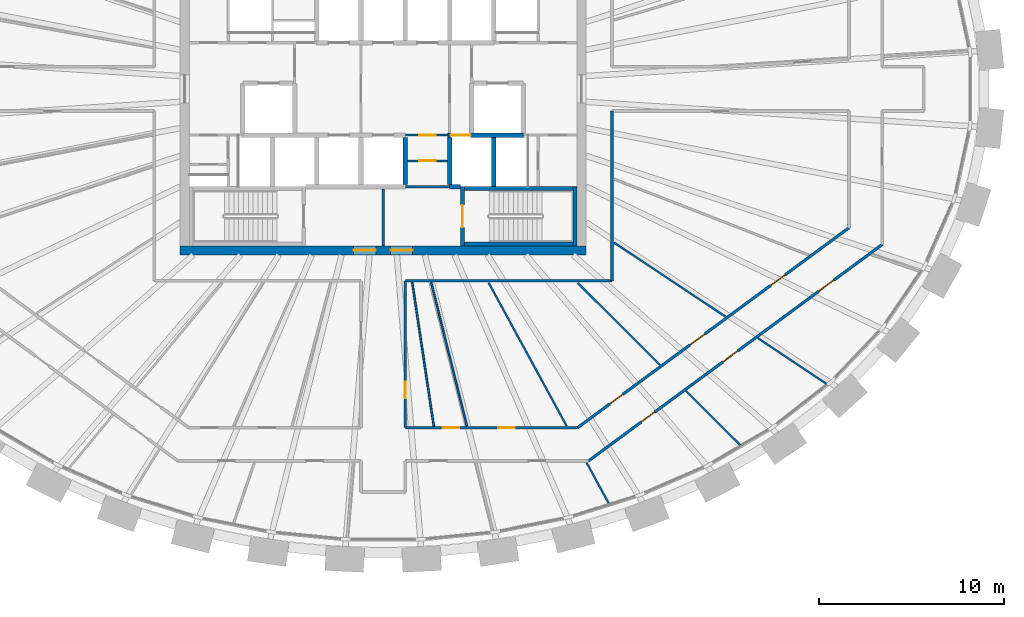
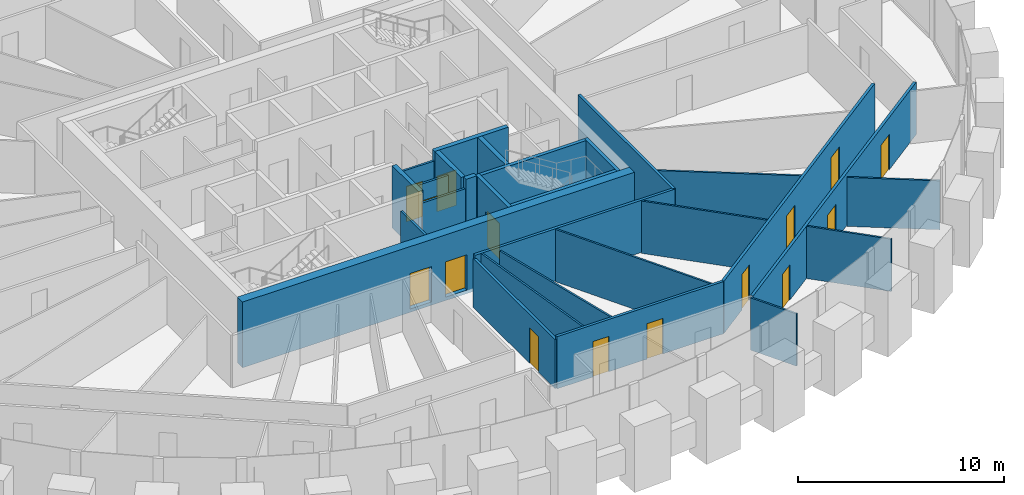
# One storey, part 8 of 12: 28 walls, 15 doors, 15 openings.
"""IFC4 building model written with IfcOpenShell, lengths in metres."""

from ifc_helpers import new_model, si_unit, direction, frame, frame_2d, origin, place, context, subcontext, project, spatial, rectangle, extrude, source, transform, mapped, material, layer, layer_set, type_object, element, fill, save


model = new_model("IFC4")

# Units and contexts
model_context = context("Model", 3, precision=1e-05, world=origin(), true_north=direction((0.0, 1.0)))
body_context = subcontext(model_context, "Body", "Model", "MODEL_VIEW")
ifc_project = project(units=[si_unit("LENGTHUNIT", "METRE"), si_unit("AREAUNIT", "SQUARE_METRE"), si_unit("VOLUMEUNIT", "CUBIC_METRE"), si_unit("PLANEANGLEUNIT", "RADIAN"), si_unit("MASSUNIT", "GRAM", prefix="KILO")], contexts=[model_context])

# Site, building, storey
site_placement = place(None, origin())
site = spatial("IfcSite", under=ifc_project, at=site_placement, CompositionType="ELEMENT")
building_placement = place(site_placement, origin())
building = spatial("IfcBuilding", under=site, at=building_placement, Name="Embergate Tower", CompositionType="ELEMENT")
storey_placement = place(building_placement, frame((0.0, 0.0, 261.699951171875)))
storey = spatial("IfcBuildingStorey", under=building, at=storey_placement, Name="L60", CompositionType="ELEMENT", Elevation=261.699951171875)

# Wall, openings, doors
ifc_material_1 = material(Name="Concrete C50", Category="concrete")
ifc_layer_1 = layer(ifc_material_1, 0.5)
ifc_layer_set_1 = layer_set([ifc_layer_1], Name="Concrete C50")
wall_type_1 = type_object("IfcWallType", Name="Core outer wall C50 500", PredefinedType="SHEAR", material=ifc_layer_set_1)
shared_shape_1 = source(origin(), body_context, "Body", "SweptSolid", [
    extrude(rectangle(XDim=22.0, YDim=0.5, at=frame_2d((11.0, 0.0))), origin(), (0.0, 0.0, 1.0), 3.89990234375),
])
wall_1_placement = place(storey_placement, frame((-11.0, -8.75, -0.199951171875), z_axis=(0.0, 0.0, 1.0), x_axis=(1.0, 0.0, 0.0)))
wall_1 = element("IfcWall", 1, at=wall_1_placement, inside=storey, type_object=wall_type_1, Name="CW-L60-S", PredefinedType="SHEAR", context=body_context, shape_type="MappedRepresentation", body=[
    mapped(shared_shape_1, transform((0.0, 0.0, 0.0))),
])
shared_shape_2 = source(origin(), body_context, "Body", "SweptSolid", [
    extrude(rectangle(XDim=1.199951171875, YDim=2.10009765625, at=frame_2d((0.60009765625, 1.050048828125))), frame((0.0, 0.260009765625, 0.0), z_axis=(0.0, -1.0, 0.0), x_axis=(1.0, 0.0, 0.0)), (0.0, 0.0, 1.0), 0.52001953125),
])
opening_1_placement = place(wall_1_placement, frame((9.39990234375, 0.0, 0.199951171875)))
opening_1 = element("IfcOpeningElement", 2, at=opening_1_placement, cuts=wall_1, Name="Opening IF-1", PredefinedType="OPENING", context=body_context, shape_type="MappedRepresentation", body=[
    mapped(shared_shape_2, transform((0.0, 0.0, 0.0))),
])
opening_2_placement = place(wall_1_placement, frame((11.39990234375, 0.0, 0.199951171875)))
opening_2 = element("IfcOpeningElement", 3, at=opening_2_placement, cuts=wall_1, Name="Opening IF-1", PredefinedType="OPENING", context=body_context, shape_type="MappedRepresentation", body=[
    mapped(shared_shape_2, transform((0.0, 0.0, 0.0))),
])
ifc_material_2 = material(Name="Escape fire door 1200")
door_type_1 = type_object("IfcDoorType", Name="Escape fire door 1200", OperationType="SINGLE_SWING_LEFT", PredefinedType="DOOR", material=ifc_material_2)
shared_shape_3 = source(origin(), body_context, "Body", "SweptSolid", [
    extrude(rectangle(XDim=1.199951171875, YDim=2.10009765625, at=frame_2d((0.60009765625, 1.050048828125))), frame((0.0, 0.02490234375, 0.0), z_axis=(0.0, -1.0, 0.0), x_axis=(1.0, 0.0, 0.0)), (0.0, 0.0, 1.0), 0.050048828125),
])
door_1_placement = place(opening_1_placement, origin())
door_1 = element("IfcDoor", 4, at=door_1_placement, inside=storey, type_object=door_type_1, Name="IF-1 door", OperationType="SINGLE_SWING_RIGHT", OverallHeight=2.10009765625, OverallWidth=1.199951171875, PredefinedType="DOOR", context=body_context, shape_type="MappedRepresentation", body=[
    mapped(shared_shape_3, transform((0.0, 0.0, 0.0))),
])
fill(opening_1, door_1)
door_2_placement = place(opening_2_placement, origin())
door_2 = element("IfcDoor", 5, at=door_2_placement, inside=storey, type_object=door_type_1, Name="IF-1 door", OperationType="SINGLE_SWING_RIGHT", OverallHeight=2.10009765625, OverallWidth=1.199951171875, PredefinedType="DOOR", context=body_context, shape_type="MappedRepresentation", body=[
    mapped(shared_shape_3, transform((0.0, 0.0, 0.0))),
])
fill(opening_2, door_2)

# Walls
ifc_layer_2 = layer(ifc_material_1, 0.25)
ifc_layer_set_2 = layer_set([ifc_layer_2], Name="Concrete C50")
wall_type_2 = type_object("IfcWallType", Name="Hoistway wall reinforced concrete 250", PredefinedType="SHEAR", material=ifc_layer_set_2)
shared_shape_4 = source(origin(), body_context, "Body", "SweptSolid", [
    extrude(rectangle(XDim=2.675048828125, YDim=0.25, at=frame_2d((1.33740234375, 0.0))), origin(), (0.0, 0.0, 1.0), 3.699951171875),
])
wall_2_placement = place(storey_placement, frame((6.0, -5.300048828125, 0.0), z_axis=(0.0, 0.0, 1.0), x_axis=(0.0, 1.0, 0.0)))
element("IfcWall", 6, at=wall_2_placement, inside=storey, type_object=wall_type_2, Name="HW-1 wall", PredefinedType="SHEAR", context=body_context, shape_type="MappedRepresentation", body=[
    mapped(shared_shape_4, transform((0.0, 0.0, 0.0))),
])
ifc_layer_3 = layer(ifc_material_1, 0.199951171875)
ifc_layer_set_3 = layer_set([ifc_layer_3], Name="Concrete C50")
wall_type_3 = type_object("IfcWallType", Name="Stair enclosure wall reinforced concrete 250", PredefinedType="SHEAR", material=ifc_layer_set_3)
shared_shape_5 = source(origin(), body_context, "Body", "SweptSolid", [
    extrude(rectangle(XDim=6.300048828125, YDim=0.199951171875, at=frame_2d((3.14990234375, 0.0))), origin(), (0.0, 0.0, 1.0), 3.699951171875),
])
wall_3_placement = place(storey_placement, frame((4.199951171875, -5.39990234375, 0.0), z_axis=(0.0, 0.0, 1.0), x_axis=(1.0, 0.0, 0.0)))
element("IfcWall", 7, at=wall_3_placement, inside=storey, type_object=wall_type_3, Name="SE-1 wall", PredefinedType="SHEAR", context=body_context, shape_type="MappedRepresentation", body=[
    mapped(shared_shape_5, transform((0.0, 0.0, 0.0))),
])
shared_shape_6 = source(origin(), body_context, "Body", "SweptSolid", [
    extrude(rectangle(XDim=2.550048828125, YDim=0.25, at=frame_2d((1.27490234375, 0.0))), origin(), (0.0, 0.0, 1.0), 3.699951171875),
])
for number, where, z_axis, x_axis, name in (
    (8, (1.199951171875, -5.175048828125, 0.0), (0.0, 0.0, 1.0), (0.0, 1.0, 0.0), "HW-1 wall"),
    (9, (3.60009765625, -2.625, 0.0), (0.0, 0.0, 1.0), (0.0, -1.0, 0.0), "HW-1 wall"),
):
    element("IfcWall", number, at=place(storey_placement, frame(where, z_axis=z_axis, x_axis=x_axis)), inside=storey, type_object=wall_type_2, Name=name, PredefinedType="SHEAR", context=body_context, shape_type="MappedRepresentation", body=[
        mapped(shared_shape_6, transform((0.0, 0.0, 0.0))),
    ])

# Wall, opening, door
shared_shape_7 = source(origin(), body_context, "Body", "SweptSolid", [
    extrude(rectangle(XDim=3.199951171875, YDim=0.199951171875, at=frame_2d((1.60009765625, 0.0))), origin(), (0.0, 0.0, 1.0), 3.699951171875),
])
wall_4_placement = place(storey_placement, frame((4.300048828125, -5.300048828125, 0.0), z_axis=(0.0, 0.0, 1.0), x_axis=(0.0, -1.0, 0.0)))
wall_4 = element("IfcWall", 10, at=wall_4_placement, inside=storey, type_object=wall_type_3, Name="SE-1 wall", PredefinedType="SHEAR", context=body_context, shape_type="MappedRepresentation", body=[
    mapped(shared_shape_7, transform((0.0, 0.0, 0.0))),
])
shared_shape_8 = source(origin(), body_context, "Body", "SweptSolid", [
    extrude(rectangle(XDim=1.199951171875, YDim=2.10009765625, at=frame_2d((0.60009765625, 1.050048828125))), frame((0.0, 0.10986328125, 0.0), z_axis=(0.0, -1.0, 0.0), x_axis=(1.0, 0.0, 0.0)), (0.0, 0.0, 1.0), 0.219970703125),
])
opening_3_placement = place(wall_4_placement, frame((1.0, 0.0, 0.0)))
opening_3 = element("IfcOpeningElement", 11, at=opening_3_placement, cuts=wall_4, Name="Opening IF-2", PredefinedType="OPENING", context=body_context, shape_type="MappedRepresentation", body=[
    mapped(shared_shape_8, transform((0.0, 0.0, 0.0))),
])
ifc_material_3 = material(Name="Stair enclosure door 1200")
door_type_2 = type_object("IfcDoorType", Name="Stair enclosure door 1200", OperationType="SINGLE_SWING_LEFT", PredefinedType="DOOR", material=ifc_material_3)
door_3_placement = place(opening_3_placement, origin())
door_3 = element("IfcDoor", 12, at=door_3_placement, inside=storey, type_object=door_type_2, Name="IF-2 door", OperationType="SINGLE_SWING_RIGHT", OverallHeight=2.10009765625, OverallWidth=1.199951171875, PredefinedType="DOOR", context=body_context, shape_type="MappedRepresentation", body=[
    mapped(shared_shape_3, transform((0.0, 0.0, 0.0))),
])
fill(opening_3, door_3)

# Walls
shared_shape_9 = source(origin(), body_context, "Body", "SweptSolid", [
    extrude(rectangle(XDim=0.599853515625, YDim=0.25, at=frame_2d((0.2998046875, 0.0))), origin(), (0.0, 0.0, 1.0), 3.699951171875),
])
wall_5_placement = place(storey_placement, frame((3.60009765625, -5.300048828125, 0.0), z_axis=(0.0, 0.0, 1.0), x_axis=(1.0, 0.0, 0.0)))
element("IfcWall", 13, at=wall_5_placement, inside=storey, type_object=wall_type_2, Name="HW-1 wall", PredefinedType="SHEAR", context=body_context, shape_type="MappedRepresentation", body=[
    mapped(shared_shape_9, transform((0.0, 0.0, 0.0))),
])
shared_shape_10 = source(origin(), body_context, "Body", "SweptSolid", [
    extrude(rectangle(XDim=6.298095703125, YDim=0.199951171875, at=frame_2d((3.14892578125, 0.0))), origin(), (0.0, 0.0, 1.0), 3.699951171875),
])
wall_6_placement = place(storey_placement, frame((4.201904296875, -8.39990234375, 0.0), z_axis=(0.0, 0.0, 1.0), x_axis=(1.0, 0.0, 0.0)))
element("IfcWall", 14, at=wall_6_placement, inside=storey, type_object=wall_type_3, Name="SE-1 wall", PredefinedType="SHEAR", context=body_context, shape_type="MappedRepresentation", body=[
    mapped(shared_shape_10, transform((0.0, 0.0, 0.0))),
])
shared_shape_11 = source(origin(), body_context, "Body", "SweptSolid", [
    extrude(rectangle(XDim=3.197998046875, YDim=0.199951171875, at=frame_2d((1.59912109375, 0.0))), origin(), (0.0, 0.0, 1.0), 3.699951171875),
])
wall_7_placement = place(storey_placement, frame((10.39990234375, -8.5, 0.0), z_axis=(0.0, 0.0, 1.0), x_axis=(0.0, 1.0, 0.0)))
element("IfcWall", 15, at=wall_7_placement, inside=storey, type_object=wall_type_3, Name="SE-1 wall", PredefinedType="SHEAR", context=body_context, shape_type="MappedRepresentation", body=[
    mapped(shared_shape_11, transform((0.0, 0.0, 0.0))),
])
ifc_material_4 = material(Name="Corridor wall dry-lined 150")
ifc_layer_4 = layer(ifc_material_4, 0.14990234375)
ifc_layer_set_4 = layer_set([ifc_layer_4], Name="Corridor wall dry-lined 150")
wall_type_4 = type_object("IfcWallType", Name="Corridor wall dry-lined 150", PredefinedType="PARTITIONING", material=ifc_layer_set_4)
shared_shape_12 = source(origin(), body_context, "Body", "SweptSolid", [
    extrude(rectangle(XDim=9.199951171875, YDim=0.14990234375, at=frame_2d((4.60009765625, 0.0))), origin(), (0.0, 0.0, 1.0), 3.10009765625),
])
wall_8_placement = place(storey_placement, frame((12.39990234375, -10.39990234375, 0.0), z_axis=(0.0, 0.0, 1.0), x_axis=(0.0, 1.0, 0.0)))
element("IfcWall", 16, at=wall_8_placement, inside=storey, type_object=wall_type_4, Name="IP-2 wall", PredefinedType="PARTITIONING", context=body_context, shape_type="MappedRepresentation", body=[
    mapped(shared_shape_12, transform((0.0, 0.0, 0.0))),
])
ifc_material_5 = material(Name="Corridor wall dry-lined 150 wet")
ifc_layer_5 = layer(ifc_material_5, 0.14990234375)
ifc_layer_set_5 = layer_set([ifc_layer_5], Name="Corridor wall dry-lined 150 wet")
wall_type_5 = type_object("IfcWallType", Name="Corridor wall dry-lined 150 wet", PredefinedType="PLUMBINGWALL", material=ifc_layer_set_5)
shared_shape_13 = source(origin(), body_context, "Body", "SweptSolid", [
    extrude(rectangle(XDim=11.199951171875, YDim=0.14990234375, at=frame_2d((5.60009765625, 0.0))), origin(), (0.0, 0.0, 1.0), 3.10009765625),
])
wall_9_placement = place(storey_placement, frame((12.39990234375, -10.39990234375, 0.0), z_axis=(0.0, 0.0, 1.0), x_axis=(-1.0, 0.0, 0.0)))
element("IfcWall", 17, at=wall_9_placement, inside=storey, type_object=wall_type_5, Name="IP-2 wall", PredefinedType="PLUMBINGWALL", context=body_context, shape_type="MappedRepresentation", body=[
    mapped(shared_shape_13, transform((0.0, 0.0, 0.0))),
])

# Wall, opening, door
ifc_material_6 = material(Name="Core partition blockwork 120")
ifc_layer_6 = layer(ifc_material_6, 0.1201171875)
ifc_layer_set_6 = layer_set([ifc_layer_6], Name="Core partition blockwork 120")
wall_type_6 = type_object("IfcWallType", Name="Core partition blockwork 120", PredefinedType="PARTITIONING", material=ifc_layer_set_6)
shared_shape_14 = source(origin(), body_context, "Body", "SweptSolid", [
    extrude(rectangle(XDim=2.400146484375, YDim=0.1201171875, at=frame_2d((1.2001953125, 0.0))), origin(), (0.0, 0.0, 1.0), 3.10009765625),
])
wall_10_placement = place(storey_placement, frame((1.199951171875, -2.5, 0.0), z_axis=(0.0, 0.0, 1.0), x_axis=(1.0, 0.0, 0.0)))
wall_10 = element("IfcWall", 18, at=wall_10_placement, inside=storey, type_object=wall_type_6, Name="IP-3 wall", PredefinedType="PARTITIONING", context=body_context, shape_type="MappedRepresentation", body=[
    mapped(shared_shape_14, transform((0.0, 0.0, 0.0))),
])
shared_shape_15 = source(origin(), body_context, "Body", "SweptSolid", [
    extrude(rectangle(XDim=0.89990234375, YDim=2.10009765625, at=frame_2d((0.449951171875, 1.050048828125))), frame((0.0, 0.070068359375, 0.0), z_axis=(0.0, -1.0, 0.0), x_axis=(1.0, 0.0, 0.0)), (0.0, 0.0, 1.0), 0.14013671875),
])
opening_4_placement = place(wall_10_placement, frame((0.75, 0.0, 0.0)))
opening_4 = element("IfcOpeningElement", 19, at=opening_4_placement, cuts=wall_10, Name="Opening ID-1", PredefinedType="OPENING", context=body_context, shape_type="MappedRepresentation", body=[
    mapped(shared_shape_15, transform((0.0, 0.0, 0.0))),
])
ifc_material_7 = material(Name="Interior door 900")
door_type_3 = type_object("IfcDoorType", Name="Interior door 900", OperationType="SINGLE_SWING_LEFT", PredefinedType="DOOR", material=ifc_material_7)
shared_shape_16 = source(origin(), body_context, "Body", "SweptSolid", [
    extrude(rectangle(XDim=0.89990234375, YDim=2.10009765625, at=frame_2d((0.449951171875, 1.050048828125))), frame((0.0, 0.02490234375, 0.0), z_axis=(0.0, -1.0, 0.0), x_axis=(1.0, 0.0, 0.0)), (0.0, 0.0, 1.0), 0.050048828125),
])
door_4_placement = place(opening_4_placement, origin())
door_4 = element("IfcDoor", 20, at=door_4_placement, inside=storey, type_object=door_type_3, Name="ID-1 door", OperationType="SINGLE_SWING_RIGHT", OverallHeight=2.10009765625, OverallWidth=0.89990234375, PredefinedType="DOOR", context=body_context, shape_type="MappedRepresentation", body=[
    mapped(shared_shape_16, transform((0.0, 0.0, 0.0))),
])
fill(opening_4, door_4)

# Walls
wall_11_placement = place(storey_placement, frame((3.60009765625, -5.300048828125, 0.0), z_axis=(0.0, 0.0, 1.0), x_axis=(-1.0, 0.0, 0.0)))
element("IfcWall", 21, at=wall_11_placement, inside=storey, type_object=wall_type_6, Name="IP-3 wall", PredefinedType="PARTITIONING", context=body_context, shape_type="MappedRepresentation", body=[
    mapped(shared_shape_14, transform((0.0, 0.0, 0.0))),
])
shared_shape_17 = source(origin(), body_context, "Body", "SweptSolid", [
    extrude(rectangle(XDim=3.074951171875, YDim=0.1201171875, at=frame_2d((1.53759765625, 0.0))), origin(), (0.0, 0.0, 1.0), 3.10009765625),
])
wall_12_placement = place(storey_placement, frame((0.0, -8.5, 0.0), z_axis=(0.0, 0.0, 1.0), x_axis=(0.0, 1.0, 0.0)))
element("IfcWall", 22, at=wall_12_placement, inside=storey, type_object=wall_type_6, Name="IP-3 wall", PredefinedType="PARTITIONING", context=body_context, shape_type="MappedRepresentation", body=[
    mapped(shared_shape_17, transform((0.0, 0.0, 0.0))),
])

# Wall, opening, door
shared_shape_18 = source(origin(), body_context, "Body", "SweptSolid", [
    extrude(rectangle(XDim=2.150146484375, YDim=0.1201171875, at=frame_2d((1.0751953125, 0.0))), origin(), (0.0, 0.0, 1.0), 3.10009765625),
])
wall_13_placement = place(storey_placement, frame((3.47509765625, -3.89990234375, 0.0), z_axis=(0.0, 0.0, 1.0), x_axis=(-1.0, 0.0, 0.0)))
wall_13 = element("IfcWall", 23, at=wall_13_placement, inside=storey, type_object=wall_type_6, Name="IP-3 wall", PredefinedType="PARTITIONING", context=body_context, shape_type="MappedRepresentation", body=[
    mapped(shared_shape_18, transform((0.0, 0.0, 0.0))),
])
opening_5_placement = place(wall_13_placement, frame((0.625, 0.0, 0.0)))
opening_5 = element("IfcOpeningElement", 24, at=opening_5_placement, cuts=wall_13, Name="Opening ID-1", PredefinedType="OPENING", context=body_context, shape_type="MappedRepresentation", body=[
    mapped(shared_shape_15, transform((0.0, 0.0, 0.0))),
])
door_5_placement = place(opening_5_placement, origin())
door_5 = element("IfcDoor", 25, at=door_5_placement, inside=storey, type_object=door_type_3, Name="ID-1 door", OperationType="SINGLE_SWING_LEFT", OverallHeight=2.10009765625, OverallWidth=0.89990234375, PredefinedType="DOOR", context=body_context, shape_type="MappedRepresentation", body=[
    mapped(shared_shape_16, transform((0.0, 0.0, 0.0))),
])
fill(opening_5, door_5)

shared_shape_19 = source(origin(), body_context, "Body", "SweptSolid", [
    extrude(rectangle(XDim=4.125, YDim=0.25, at=frame_2d((2.0625, 0.0))), origin(), (0.0, 0.0, 1.0), 3.699951171875),
])
wall_14_placement = place(storey_placement, frame((7.60009765625, -2.5, 0.0), z_axis=(0.0, 0.0, 1.0), x_axis=(-1.0, 0.0, 0.0)))
wall_14 = element("IfcWall", 26, at=wall_14_placement, inside=storey, type_object=wall_type_2, Name="HW-1 wall", PredefinedType="SHEAR", context=body_context, shape_type="MappedRepresentation", body=[
    mapped(shared_shape_19, transform((0.0, 0.0, 0.0))),
])
shared_shape_20 = source(origin(), body_context, "Body", "SweptSolid", [
    extrude(rectangle(XDim=1.10009765625, YDim=2.10009765625, at=frame_2d((0.550048828125, 1.050048828125))), frame((0.0, 0.135009765625, 0.0), z_axis=(0.0, -1.0, 0.0), x_axis=(1.0, 0.0, 0.0)), (0.0, 0.0, 1.0), 0.27001953125),
])
opening_6_placement = place(wall_14_placement, frame((2.85009765625, 0.0, 0.0)))
opening_6 = element("IfcOpeningElement", 27, at=opening_6_placement, cuts=wall_14, Name="Opening LD", PredefinedType="OPENING", context=body_context, shape_type="MappedRepresentation", body=[
    mapped(shared_shape_20, transform((0.0, 0.0, 0.0))),
])
ifc_material_8 = material(Name="Landing door sliding 1100")
door_type_4 = type_object("IfcDoorType", Name="Landing door sliding 1100", OperationType="SLIDING_TO_LEFT", PredefinedType="DOOR", material=ifc_material_8)
shared_shape_21 = source(origin(), body_context, "Body", "SweptSolid", [
    extrude(rectangle(XDim=1.10009765625, YDim=2.10009765625, at=frame_2d((0.550048828125, 1.050048828125))), frame((0.0, 0.02490234375, 0.0), z_axis=(0.0, -1.0, 0.0), x_axis=(1.0, 0.0, 0.0)), (0.0, 0.0, 1.0), 0.050048828125),
])
door_6_placement = place(opening_6_placement, origin())
door_6 = element("IfcDoor", 28, at=door_6_placement, inside=storey, type_object=door_type_4, Name="LD door", OperationType="SLIDING_TO_LEFT", OverallHeight=2.10009765625, OverallWidth=1.10009765625, PredefinedType="DOOR", context=body_context, shape_type="MappedRepresentation", body=[
    mapped(shared_shape_21, transform((0.0, 0.0, 0.0))),
])
fill(opening_6, door_6)

# Wall, openings, doors
shared_shape_22 = source(origin(), body_context, "Body", "SweptSolid", [
    extrude(rectangle(XDim=19.77294921875, YDim=0.14990234375, at=frame_2d((9.886474609375, 0.0))), origin(), (0.0, 0.0, 1.0), 3.10009765625),
])
wall_15_placement = place(storey_placement, frame((11.1259765625, -20.158935546875, 0.0), z_axis=(0.0, 0.0, 1.0), x_axis=(0.805138380898, 0.593086998344, 0.0)))
wall_15 = element("IfcWall", 29, at=wall_15_placement, inside=storey, type_object=wall_type_4, Name="IP-2 wall", PredefinedType="PARTITIONING", context=body_context, shape_type="MappedRepresentation", body=[
    mapped(shared_shape_22, transform((0.0, 0.0, 0.0))),
])
shared_shape_23 = source(origin(), body_context, "Body", "SweptSolid", [
    extrude(rectangle(XDim=0.89990234375, YDim=2.10009765625, at=frame_2d((0.449951171875, 1.050048828125))), frame((0.0, 0.0849609375, 0.0), z_axis=(0.0, -1.0, 0.0), x_axis=(1.0, 0.0, 0.0)), (0.0, 0.0, 1.0), 0.169921875),
])
opening_7_placement = place(wall_15_placement, frame((3.54833984375, 0.0, 0.0)))
opening_7 = element("IfcOpeningElement", 30, at=opening_7_placement, cuts=wall_15, Name="Opening IF-1c", PredefinedType="OPENING", context=body_context, shape_type="MappedRepresentation", body=[
    mapped(shared_shape_23, transform((0.0, 0.0, 0.0))),
])
shared_shape_24 = source(origin(), body_context, "Body", "SweptSolid", [
    extrude(rectangle(XDim=1.0, YDim=2.10009765625, at=frame_2d((0.5, 1.050048828125))), frame((0.0, 0.0849609375, 0.0), z_axis=(0.0, -1.0, 0.0), x_axis=(1.0, 0.0, 0.0)), (0.0, 0.0, 1.0), 0.169921875),
])
opening_8_placement = place(wall_15_placement, frame((9.04248046875, 0.0, 0.0)))
opening_8 = element("IfcOpeningElement", 31, at=opening_8_placement, cuts=wall_15, Name="Opening ID-2", PredefinedType="OPENING", context=body_context, shape_type="MappedRepresentation", body=[
    mapped(shared_shape_24, transform((0.0, 0.0, 0.0))),
])
opening_9_placement = place(wall_15_placement, frame((15.502197265625, 0.0, 0.0)))
opening_9 = element("IfcOpeningElement", 32, at=opening_9_placement, cuts=wall_15, Name="Opening ID-2", PredefinedType="OPENING", context=body_context, shape_type="MappedRepresentation", body=[
    mapped(shared_shape_24, transform((0.0, 0.0, 0.0))),
])
ifc_material_9 = material(Name="Escape fire door 900")
door_type_5 = type_object("IfcDoorType", Name="Escape fire door 900", OperationType="SINGLE_SWING_LEFT", PredefinedType="DOOR", material=ifc_material_9)
door_7_placement = place(opening_7_placement, origin())
door_7 = element("IfcDoor", 33, at=door_7_placement, inside=storey, type_object=door_type_5, Name="IF-1 door", OperationType="SINGLE_SWING_RIGHT", OverallHeight=2.10009765625, OverallWidth=0.89990234375, PredefinedType="DOOR", context=body_context, shape_type="MappedRepresentation", body=[
    mapped(shared_shape_16, transform((0.0, 0.0, 0.0))),
])
fill(opening_7, door_7)
ifc_material_10 = material(Name="Interior door 1000")
door_type_6 = type_object("IfcDoorType", Name="Interior door 1000", OperationType="SINGLE_SWING_LEFT", PredefinedType="DOOR", material=ifc_material_10)
shared_shape_25 = source(origin(), body_context, "Body", "SweptSolid", [
    extrude(rectangle(XDim=1.0, YDim=2.10009765625, at=frame_2d((0.5, 1.050048828125))), frame((0.0, 0.02490234375, 0.0), z_axis=(0.0, -1.0, 0.0), x_axis=(1.0, 0.0, 0.0)), (0.0, 0.0, 1.0), 0.050048828125),
])
door_8_placement = place(opening_8_placement, origin())
door_8 = element("IfcDoor", 34, at=door_8_placement, inside=storey, type_object=door_type_6, Name="ID-2 door", OperationType="SINGLE_SWING_RIGHT", OverallHeight=2.10009765625, OverallWidth=1.0, PredefinedType="DOOR", context=body_context, shape_type="MappedRepresentation", body=[
    mapped(shared_shape_25, transform((0.0, 0.0, 0.0))),
])
fill(opening_8, door_8)
door_9_placement = place(opening_9_placement, origin())
door_9 = element("IfcDoor", 35, at=door_9_placement, inside=storey, type_object=door_type_6, Name="ID-2 door", OperationType="SINGLE_SWING_LEFT", OverallHeight=2.10009765625, OverallWidth=1.0, PredefinedType="DOOR", context=body_context, shape_type="MappedRepresentation", body=[
    mapped(shared_shape_25, transform((0.0, 0.0, 0.0))),
])
fill(opening_9, door_9)

shared_shape_26 = source(origin(), body_context, "Body", "SweptSolid", [
    extrude(rectangle(XDim=18.27197265625, YDim=0.14990234375, at=frame_2d((9.135986328125, 0.0))), origin(), (0.0, 0.0, 1.0), 3.10009765625),
])
wall_16_placement = place(storey_placement, frame((25.24609375, -7.52294921875, 0.0), z_axis=(0.0, 0.0, 1.0), x_axis=(-0.805176050135, -0.593035857507, 0.0)))
wall_16 = element("IfcWall", 36, at=wall_16_placement, inside=storey, type_object=wall_type_4, Name="IP-2 wall", PredefinedType="PARTITIONING", context=body_context, shape_type="MappedRepresentation", body=[
    mapped(shared_shape_26, transform((0.0, 0.0, 0.0))),
])
opening_10_placement = place(wall_16_placement, frame((15.213623046875, 0.0, 0.0)))
opening_10 = element("IfcOpeningElement", 37, at=opening_10_placement, cuts=wall_16, Name="Opening IF-1c", PredefinedType="OPENING", context=body_context, shape_type="MappedRepresentation", body=[
    mapped(shared_shape_23, transform((0.0, 0.0, 0.0))),
])
opening_11_placement = place(wall_16_placement, frame((9.703125, 0.0, 0.0)))
opening_11 = element("IfcOpeningElement", 38, at=opening_11_placement, cuts=wall_16, Name="Opening ID-2", PredefinedType="OPENING", context=body_context, shape_type="MappedRepresentation", body=[
    mapped(shared_shape_24, transform((0.0, 0.0, 0.0))),
])
opening_12_placement = place(wall_16_placement, frame((4.2841796875, 0.0, 0.0)))
opening_12 = element("IfcOpeningElement", 39, at=opening_12_placement, cuts=wall_16, Name="Opening ID-2", PredefinedType="OPENING", context=body_context, shape_type="MappedRepresentation", body=[
    mapped(shared_shape_24, transform((0.0, 0.0, 0.0))),
])
door_10_placement = place(opening_10_placement, origin())
door_10 = element("IfcDoor", 40, at=door_10_placement, inside=storey, type_object=door_type_5, Name="IF-1 door", OperationType="SINGLE_SWING_RIGHT", OverallHeight=2.10009765625, OverallWidth=0.89990234375, PredefinedType="DOOR", context=body_context, shape_type="MappedRepresentation", body=[
    mapped(shared_shape_16, transform((0.0, 0.0, 0.0))),
])
fill(opening_10, door_10)
door_11_placement = place(opening_11_placement, origin())
door_11 = element("IfcDoor", 41, at=door_11_placement, inside=storey, type_object=door_type_6, Name="ID-2 door", OperationType="SINGLE_SWING_LEFT", OverallHeight=2.10009765625, OverallWidth=1.0, PredefinedType="DOOR", context=body_context, shape_type="MappedRepresentation", body=[
    mapped(shared_shape_25, transform((0.0, 0.0, 0.0))),
])
fill(opening_11, door_11)
door_12_placement = place(opening_12_placement, origin())
door_12 = element("IfcDoor", 42, at=door_12_placement, inside=storey, type_object=door_type_6, Name="ID-2 door", OperationType="SINGLE_SWING_RIGHT", OverallHeight=2.10009765625, OverallWidth=1.0, PredefinedType="DOOR", context=body_context, shape_type="MappedRepresentation", body=[
    mapped(shared_shape_25, transform((0.0, 0.0, 0.0))),
])
fill(opening_12, door_12)

shared_shape_27 = source(origin(), body_context, "Body", "SweptSolid", [
    extrude(rectangle(XDim=9.333984375, YDim=0.14990234375, at=frame_2d((4.6669921875, 0.0))), origin(), (0.0, 0.0, 1.0), 3.10009765625),
])
wall_17_placement = place(storey_placement, frame((1.199951171875, -18.35888671875, 0.0), z_axis=(0.0, 0.0, 1.0), x_axis=(1.0, 0.0, 0.0)))
wall_17 = element("IfcWall", 43, at=wall_17_placement, inside=storey, type_object=wall_type_5, Name="IP-2 wall", PredefinedType="PLUMBINGWALL", context=body_context, shape_type="MappedRepresentation", body=[
    mapped(shared_shape_27, transform((0.0, 0.0, 0.0))),
])
opening_13_placement = place(wall_17_placement, frame((2.02294921875, 0.0, 0.0)))
opening_13 = element("IfcOpeningElement", 44, at=opening_13_placement, cuts=wall_17, Name="Opening IF-1c", PredefinedType="OPENING", context=body_context, shape_type="MappedRepresentation", body=[
    mapped(shared_shape_23, transform((0.0, 0.0, 0.0))),
])
opening_14_placement = place(wall_17_placement, frame((5.035888671875, 0.0, 0.0)))
opening_14 = element("IfcOpeningElement", 45, at=opening_14_placement, cuts=wall_17, Name="Opening IF-1c", PredefinedType="OPENING", context=body_context, shape_type="MappedRepresentation", body=[
    mapped(shared_shape_23, transform((0.0, 0.0, 0.0))),
])
door_13_placement = place(opening_13_placement, origin())
door_13 = element("IfcDoor", 46, at=door_13_placement, inside=storey, type_object=door_type_5, Name="IF-1 door", OperationType="SINGLE_SWING_LEFT", OverallHeight=2.10009765625, OverallWidth=0.89990234375, PredefinedType="DOOR", context=body_context, shape_type="MappedRepresentation", body=[
    mapped(shared_shape_16, transform((0.0, 0.0, 0.0))),
])
fill(opening_13, door_13)
door_14_placement = place(opening_14_placement, origin())
door_14 = element("IfcDoor", 47, at=door_14_placement, inside=storey, type_object=door_type_5, Name="IF-1 door", OperationType="SINGLE_SWING_RIGHT", OverallHeight=2.10009765625, OverallWidth=0.89990234375, PredefinedType="DOOR", context=body_context, shape_type="MappedRepresentation", body=[
    mapped(shared_shape_16, transform((0.0, 0.0, 0.0))),
])
fill(opening_14, door_14)

# Wall, opening, door
shared_shape_28 = source(origin(), body_context, "Body", "SweptSolid", [
    extrude(rectangle(XDim=7.958984375, YDim=0.14990234375, at=frame_2d((3.9794921875, 0.0))), origin(), (0.0, 0.0, 1.0), 2.900146484375),
])
wall_18_placement = place(storey_placement, frame((1.199951171875, -10.39990234375, 0.0), z_axis=(0.0, 0.0, 1.0), x_axis=(0.0, -1.0, 0.0)))
wall_18 = element("IfcWall", 48, at=wall_18_placement, inside=storey, type_object=wall_type_5, Name="IP-2 wall", PredefinedType="PLUMBINGWALL", context=body_context, shape_type="MappedRepresentation", body=[
    mapped(shared_shape_28, transform((0.0, 0.0, 0.0))),
])
opening_15_placement = place(wall_18_placement, frame((5.467041015625, 0.0, 0.0)))
opening_15 = element("IfcOpeningElement", 49, at=opening_15_placement, cuts=wall_18, Name="Opening IF-1c", PredefinedType="OPENING", context=body_context, shape_type="MappedRepresentation", body=[
    mapped(shared_shape_23, transform((0.0, 0.0, 0.0))),
])
door_15_placement = place(opening_15_placement, origin())
door_15 = element("IfcDoor", 50, at=door_15_placement, inside=storey, type_object=door_type_5, Name="IF-1 door", OperationType="SINGLE_SWING_LEFT", OverallHeight=2.10009765625, OverallWidth=0.89990234375, PredefinedType="DOOR", context=body_context, shape_type="MappedRepresentation", body=[
    mapped(shared_shape_16, transform((0.0, 0.0, 0.0))),
])
fill(opening_15, door_15)

# Walls
ifc_material_11 = material(Name="Partition dry-lined 100 wet")
ifc_layer_7 = layer(ifc_material_11, 0.10009765625)
ifc_layer_set_7 = layer_set([ifc_layer_7], Name="Partition dry-lined 100 wet")
wall_type_7 = type_object("IfcWallType", Name="Partition dry-lined 100 wet", PredefinedType="PLUMBINGWALL", material=ifc_layer_set_7)
shared_shape_29 = source(origin(), body_context, "Body", "SweptSolid", [
    extrude(rectangle(XDim=7.882568359375, YDim=0.10009765625, at=frame_2d((3.94140625, 0.0))), origin(), (0.0, 0.0, 1.0), 3.10009765625),
])
wall_19_placement = place(storey_placement, frame((1.574951171875, -10.48193359375, 0.0), z_axis=(0.0, 0.0, 1.0), x_axis=(0.14857217011, -0.988901567533, 0.0)))
element("IfcWall", 51, at=wall_19_placement, inside=storey, type_object=wall_type_7, Name="IP-1 wall", PredefinedType="PLUMBINGWALL", context=body_context, shape_type="MappedRepresentation", body=[
    mapped(shared_shape_29, transform((0.0, 0.0, 0.0))),
])
shared_shape_30 = source(origin(), body_context, "Body", "SweptSolid", [
    extrude(rectangle(XDim=8.021240234375, YDim=0.10009765625, at=frame_2d((4.0107421875, 0.0))), origin(), (0.0, 0.0, 1.0), 2.900146484375),
])
wall_20_placement = place(storey_placement, frame((2.60400390625, -10.487060546875, 0.0), z_axis=(0.0, 0.0, 1.0), x_axis=(0.24099559466, -0.970526209514, 0.0)))
element("IfcWall", 52, at=wall_20_placement, inside=storey, type_object=wall_type_7, Name="IP-1 wall", PredefinedType="PLUMBINGWALL", context=body_context, shape_type="MappedRepresentation", body=[
    mapped(shared_shape_30, transform((0.0, 0.0, 0.0))),
])
ifc_material_12 = material(Name="Partition dry-lined 100")
ifc_layer_8 = layer(ifc_material_12, 0.10009765625)
ifc_layer_set_8 = layer_set([ifc_layer_8], Name="Partition dry-lined 100")
wall_type_8 = type_object("IfcWallType", Name="Partition dry-lined 100", PredefinedType="PARTITIONING", material=ifc_layer_set_8)
shared_shape_31 = source(origin(), body_context, "Body", "SweptSolid", [
    extrude(rectangle(XDim=2.6162109375, YDim=0.10009765625, at=frame_2d((1.30810546875, 0.0))), origin(), (0.0, 0.0, 1.0), 3.10009765625),
])
wall_21_placement = place(storey_placement, frame((11.027099609375, -20.258056640625, 0.0), z_axis=(0.0, 0.0, 1.0), x_axis=(0.478145872755, -0.878280436061, 0.0)))
element("IfcWall", 53, at=wall_21_placement, inside=storey, type_object=wall_type_8, Name="IP-1 wall", PredefinedType="PARTITIONING", context=body_context, shape_type="MappedRepresentation", body=[
    mapped(shared_shape_31, transform((0.0, 0.0, 0.0))),
])
shared_shape_32 = source(origin(), body_context, "Body", "SweptSolid", [
    extrude(rectangle(XDim=4.260986328125, YDim=0.10009765625, at=frame_2d((2.13037109375, 0.0))), origin(), (0.0, 0.0, 1.0), 3.10009765625),
])
wall_22_placement = place(storey_placement, frame((16.4130859375, -16.366943359375, 0.0), z_axis=(0.0, 0.0, 1.0), x_axis=(0.708022943972, -0.706189429834, 0.0)))
element("IfcWall", 54, at=wall_22_placement, inside=storey, type_object=wall_type_8, Name="IP-1 wall", PredefinedType="PARTITIONING", context=body_context, shape_type="MappedRepresentation", body=[
    mapped(shared_shape_32, transform((0.0, 0.0, 0.0))),
])
shared_shape_33 = source(origin(), body_context, "Body", "SweptSolid", [
    extrude(rectangle(XDim=4.532958984375, YDim=0.10009765625, at=frame_2d((2.2666015625, 0.0))), origin(), (0.0, 0.0, 1.0), 2.900146484375),
])
wall_23_placement = place(storey_placement, frame((20.30908203125, -13.509033203125, 0.0), z_axis=(0.0, 0.0, 1.0), x_axis=(0.832555396717, -0.553941794232, 0.0)))
element("IfcWall", 55, at=wall_23_placement, inside=storey, type_object=wall_type_8, Name="IP-1 wall", PredefinedType="PARTITIONING", context=body_context, shape_type="MappedRepresentation", body=[
    mapped(shared_shape_33, transform((0.0, 0.0, 0.0))),
])
shared_shape_34 = source(origin(), body_context, "Body", "SweptSolid", [
    extrude(rectangle(XDim=8.83642578125, YDim=0.10009765625, at=frame_2d((4.418212890625, 0.0))), origin(), (0.0, 0.0, 1.0), 3.10009765625),
])
wall_24_placement = place(storey_placement, frame((5.715087890625, -10.4990234375, 0.0), z_axis=(0.0, 0.0, 1.0), x_axis=(0.478118301495, -0.878295445608, 0.0)))
element("IfcWall", 56, at=wall_24_placement, inside=storey, type_object=wall_type_8, Name="IP-1 wall", PredefinedType="PARTITIONING", context=body_context, shape_type="MappedRepresentation", body=[
    mapped(shared_shape_34, transform((0.0, 0.0, 0.0))),
])
shared_shape_35 = source(origin(), body_context, "Body", "SweptSolid", [
    extrude(rectangle(XDim=6.307373046875, YDim=0.10009765625, at=frame_2d((3.15380859375, 0.0))), origin(), (0.0, 0.0, 1.0), 3.10009765625),
])
wall_25_placement = place(storey_placement, frame((10.5390625, -10.510009765625, 0.0), z_axis=(0.0, 0.0, 1.0), x_axis=(0.70803514775, -0.706177194159, 0.0)))
element("IfcWall", 57, at=wall_25_placement, inside=storey, type_object=wall_type_8, Name="IP-1 wall", PredefinedType="PARTITIONING", context=body_context, shape_type="MappedRepresentation", body=[
    mapped(shared_shape_35, transform((0.0, 0.0, 0.0))),
])
shared_shape_36 = source(origin(), body_context, "Body", "SweptSolid", [
    extrude(rectangle(XDim=7.263916015625, YDim=0.10009765625, at=frame_2d((3.6318359375, 0.0))), origin(), (0.0, 0.0, 1.0), 2.900146484375),
])
wall_26_placement = place(storey_placement, frame((12.5029296875, -8.31689453125, 0.0), z_axis=(0.0, 0.0, 1.0), x_axis=(0.832613473912, -0.55385449629, 0.0)))
element("IfcWall", 58, at=wall_26_placement, inside=storey, type_object=wall_type_8, Name="IP-1 wall", PredefinedType="PARTITIONING", context=body_context, shape_type="MappedRepresentation", body=[
    mapped(shared_shape_36, transform((0.0, 0.0, 0.0))),
])

save(model, "model.ifc")
